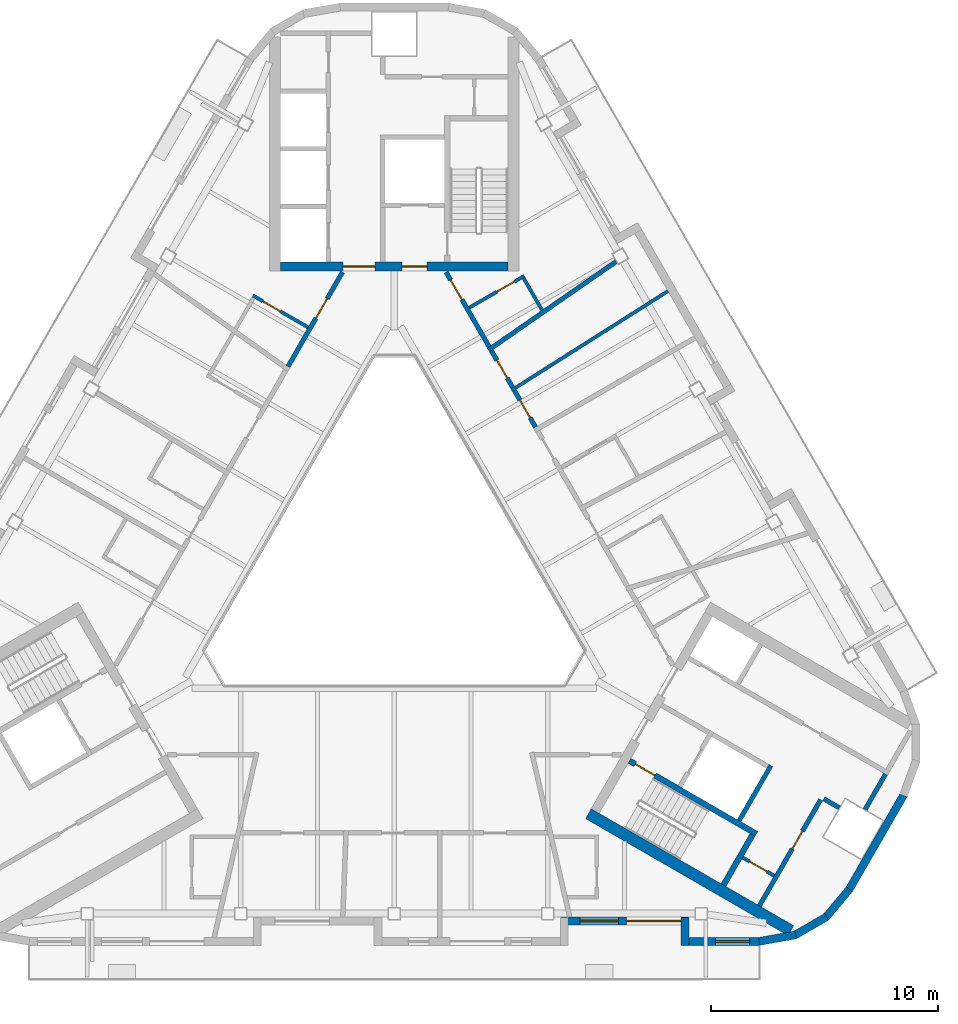
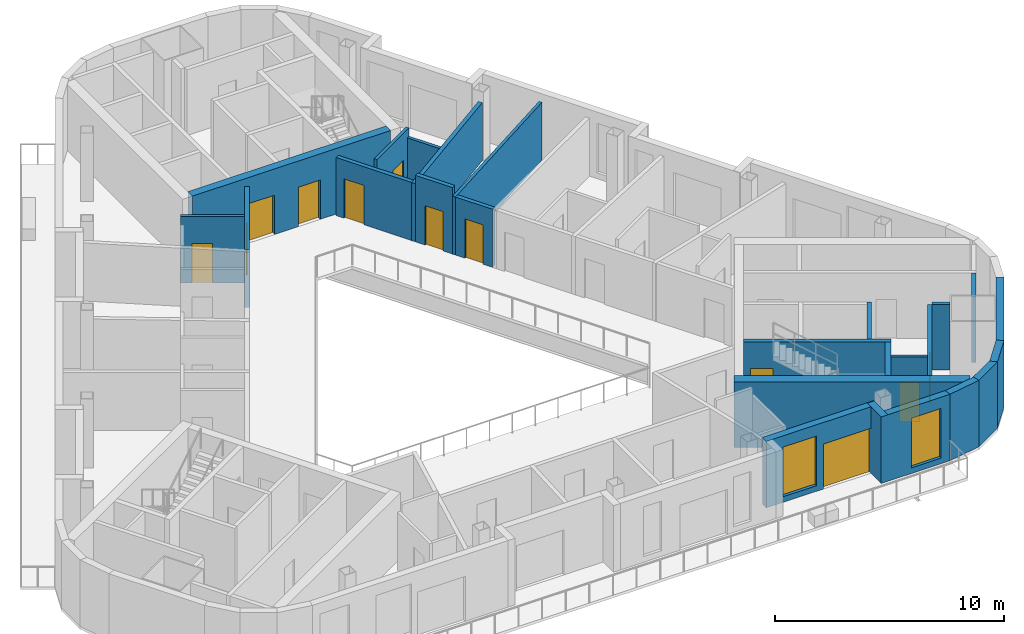
# One storey, part 5 of 12: 25 walls, 12 doors, 2 windows, 14 openings.
"""IFC4 building model written with IfcOpenShell, lengths in metres."""

from ifc_helpers import new_model, si_unit, direction, frame, frame_2d, origin, place, context, subcontext, project, spatial, rectangle, extrude, material, layer, layer_set, type_object, element, fill, save


model = new_model("IFC4")

# Units and contexts
model_context = context("Model", 3, precision=1e-05, world=origin(), true_north=direction((0.0, 1.0)))
body_context = subcontext(model_context, "Body", "Model", "MODEL_VIEW")
ifc_project = project(units=[si_unit("LENGTHUNIT", "METRE"), si_unit("AREAUNIT", "SQUARE_METRE"), si_unit("VOLUMEUNIT", "CUBIC_METRE"), si_unit("PLANEANGLEUNIT", "RADIAN"), si_unit("MASSUNIT", "GRAM", prefix="KILO")], contexts=[model_context])

# Site, building, storey
site_placement = place(None, origin())
site = spatial("IfcSite", under=ifc_project, at=site_placement, CompositionType="ELEMENT")
building_placement = place(site_placement, origin())
building = spatial("IfcBuilding", under=site, at=building_placement, Name="Apuvela Tower Hotel", CompositionType="ELEMENT")
storey_placement = place(building_placement, frame((0.0, 0.0, 305.89990234375)))
storey = spatial("IfcBuildingStorey", under=building, at=storey_placement, Name="L76", CompositionType="ELEMENT", Elevation=305.89990234375)

# Wall, openings, doors
ifc_material_1 = material(Name="Concrete C50/60", Category="concrete")
ifc_layer_1 = layer(ifc_material_1, 0.39990234375)
ifc_layer_set_1 = layer_set([ifc_layer_1], Name="COR-WALL-CORE-400")
wall_type_1 = type_object("IfcWallType", Name="COR-WALL-CORE-400", PredefinedType="SHEAR", material=ifc_layer_set_1)
wall_1_placement = place(storey_placement, frame((5.0, 13.10009765625, 0.0), z_axis=(0.0, 0.0, 1.0), x_axis=(-1.0, 0.0, 0.0)))
wall_1 = element("IfcWall", 1, at=wall_1_placement, inside=storey, type_object=wall_type_1, Name="Core wall N", PredefinedType="SHEAR", context=body_context, shape_type="SweptSolid", body=[
    extrude(rectangle(XDim=10.0, YDim=0.39990234375, at=frame_2d((5.0, 0.0))), origin(), (0.0, 0.0, 1.0), 3.5),
])
opening_1_placement = place(wall_1_placement, frame((3.550048828125, 0.0, 0.0)))
opening_1 = element("IfcOpeningElement", 2, at=opening_1_placement, cuts=wall_1, Name="Opening N-FD", PredefinedType="OPENING", context=body_context, shape_type="SweptSolid", body=[
    extrude(rectangle(XDim=1.10009765625, YDim=2.10009765625, at=frame_2d((0.550048828125, 1.050048828125))), frame((0.0, 0.2099609375, 0.0), z_axis=(0.0, -1.0, 0.0), x_axis=(1.0, 0.0, 0.0)), (0.0, 0.0, 1.0), 0.419921875),
])
opening_2_placement = place(wall_1_placement, frame((5.85009765625, 0.0, 0.0)))
opening_2 = element("IfcOpeningElement", 3, at=opening_2_placement, cuts=wall_1, Name="Opening N-GD", PredefinedType="OPENING", context=body_context, shape_type="SweptSolid", body=[
    extrude(rectangle(XDim=1.39990234375, YDim=2.10009765625, at=frame_2d((0.699951171875, 1.050048828125))), frame((0.0, 0.2099609375, 0.0), z_axis=(0.0, -1.0, 0.0), x_axis=(1.0, 0.0, 0.0)), (0.0, 0.0, 1.0), 0.419921875),
])
ifc_material_2 = material(Name="Steel fire door, powder coated", Category="steel")
door_type_1 = type_object("IfcDoorType", Name="COR-FD-1100", OperationType="NOTDEFINED", PredefinedType="DOOR", material=ifc_material_2)
door_1_placement = place(opening_1_placement, frame((1.10009765625, 0.0, 0.0), z_axis=(0.0, 0.0, 1.0), x_axis=(-1.0, 0.0, 0.0)))
door_1 = element("IfcDoor", 4, at=door_1_placement, inside=storey, type_object=door_type_1, Name="Firefighting lobby door N-FD", OperationType="SINGLE_SWING_LEFT", OverallHeight=2.10009765625, OverallWidth=1.10009765625, PredefinedType="DOOR", context=body_context, shape_type="SweptSolid", body=[
    extrude(rectangle(XDim=1.10009765625, YDim=2.10009765625, at=frame_2d((0.550048828125, 1.050048828125))), frame((0.0, 0.02490234375, 0.0), z_axis=(0.0, -1.0, 0.0), x_axis=(1.0, 0.0, 0.0)), (0.0, 0.0, 1.0), 0.050048828125),
])
fill(opening_1, door_1)
ifc_material_3 = material(Name="Glazed steel fire door", Category="steel")
door_type_2 = type_object("IfcDoorType", Name="COR-GD-1400", OperationType="DOUBLE_DOOR_SINGLE_SWING", PredefinedType="DOOR", material=ifc_material_3)
door_2_placement = place(opening_2_placement, frame((1.39990234375, 0.0, 0.0), z_axis=(0.0, 0.0, 1.0), x_axis=(-1.0, 0.0, 0.0)))
door_2 = element("IfcDoor", 5, at=door_2_placement, inside=storey, type_object=door_type_2, Name="Lift lobby door N-GD", OperationType="DOUBLE_DOOR_SINGLE_SWING", OverallHeight=2.10009765625, OverallWidth=1.39990234375, PredefinedType="DOOR", context=body_context, shape_type="SweptSolid", body=[
    extrude(rectangle(XDim=1.39990234375, YDim=2.10009765625, at=frame_2d((0.699951171875, 1.050048828125))), frame((0.0, 0.02490234375, 0.0), z_axis=(0.0, -1.0, 0.0), x_axis=(1.0, 0.0, 0.0)), (0.0, 0.0, 1.0), 0.050048828125),
])
fill(opening_2, door_2)

# Wall
ifc_layer_2 = layer(ifc_material_1, 0.5)
ifc_layer_set_2 = layer_set([ifc_layer_2], Name="COR-WALL-CORE-500")
wall_type_2 = type_object("IfcWallType", Name="COR-WALL-CORE-500", PredefinedType="SHEAR", material=ifc_layer_set_2)
wall_2_placement = place(storey_placement, frame((8.546630859375, -10.99658203125, 0.0), z_axis=(0.0, 0.0, 1.0), x_axis=(0.866027279078, -0.499996751883, 0.0)))
element("IfcWall", 6, at=wall_2_placement, inside=storey, type_object=wall_type_2, Name="Core wall SE", PredefinedType="SHEAR", context=body_context, shape_type="SweptSolid", body=[
    extrude(rectangle(XDim=10.29833984375, YDim=0.5, at=frame_2d((5.149169921875, 0.0))), origin(), (0.0, 0.0, 1.0), 3.5),
])

# Wall, opening, door
ifc_material_4 = material(Name="Blockwork 150 mm plastered", Category="masonry")
ifc_layer_3 = layer(ifc_material_4, 0.14990234375)
ifc_layer_set_3 = layer_set([ifc_layer_3], Name="COR-WALL-PART-150")
wall_type_3 = type_object("IfcWallType", Name="COR-WALL-PART-150", PredefinedType="PARTITIONING", material=ifc_layer_set_3)
wall_3_placement = place(storey_placement, frame((15.341552734375, -12.927734375, 0.0), z_axis=(0.0, 0.0, 1.0), x_axis=(0.865989903783, -0.500061482766, 0.0)))
wall_3 = element("IfcWall", 7, at=wall_3_placement, inside=storey, type_object=wall_type_3, Name="Partition SE", PredefinedType="PARTITIONING", context=body_context, shape_type="SweptSolid", body=[
    extrude(rectangle(XDim=1.599853515625, YDim=0.14990234375, at=frame_2d((0.7998046875, 0.0))), origin(), (0.0, 0.0, 1.0), 3.5),
])
opening_3_placement = place(wall_3_placement, frame((0.35009765625, 0.0, 0.0)))
opening_3 = element("IfcOpeningElement", 8, at=opening_3_placement, cuts=wall_3, Name="Opening E-RD", PredefinedType="OPENING", context=body_context, shape_type="SweptSolid", body=[
    extrude(rectangle(XDim=0.89990234375, YDim=2.10009765625, at=frame_2d((0.449951171875, 1.050048828125))), frame((0.0, 0.0849609375, 0.0), z_axis=(0.0, -1.0, 0.0), x_axis=(1.0, 0.0, 0.0)), (0.0, 0.0, 1.0), 0.169921875),
])
ifc_material_5 = material(Name="Steel access door, powder coated", Category="steel")
door_type_3 = type_object("IfcDoorType", Name="COR-RD-900", OperationType="NOTDEFINED", PredefinedType="DOOR", material=ifc_material_5)
door_3_placement = place(opening_3_placement, frame((0.89990234375, 0.0, 0.0), z_axis=(0.0, 0.0, 1.0), x_axis=(-1.0, 0.0, 0.0)))
door_3 = element("IfcDoor", 9, at=door_3_placement, inside=storey, type_object=door_type_3, Name="Riser door E-RD", OperationType="SINGLE_SWING_LEFT", OverallHeight=2.10009765625, OverallWidth=0.89990234375, PredefinedType="DOOR", context=body_context, shape_type="SweptSolid", body=[
    extrude(rectangle(XDim=0.89990234375, YDim=2.10009765625, at=frame_2d((0.449951171875, 1.050048828125))), frame((0.0, 0.02490234375, 0.0), z_axis=(0.0, -1.0, 0.0), x_axis=(1.0, 0.0, 0.0)), (0.0, 0.0, 1.0), 0.050048828125),
])
fill(opening_3, door_3)

ifc_material_6 = material(Name="Blockwork 200 mm plastered", Category="masonry")
ifc_layer_4 = layer(ifc_material_6, 0.199951171875)
ifc_layer_set_4 = layer_set([ifc_layer_4], Name="COR-WALL-PART-200")
wall_type_4 = type_object("IfcWallType", Name="COR-WALL-PART-200", PredefinedType="PARTITIONING", material=ifc_layer_set_4)
wall_4_placement = place(storey_placement, frame((16.076171875, -15.05517578125, 0.0), z_axis=(0.0, 0.0, 1.0), x_axis=(0.499995103361, 0.866028230842, 0.0)))
wall_4 = element("IfcWall", 10, at=wall_4_placement, inside=storey, type_object=wall_type_4, Name="Partition SE", PredefinedType="PARTITIONING", context=body_context, shape_type="SweptSolid", body=[
    extrude(rectangle(XDim=5.39990234375, YDim=0.199951171875, at=frame_2d((2.699951171875, 0.0))), origin(), (0.0, 0.0, 1.0), 3.5),
])
opening_4_placement = place(wall_4_placement, frame((2.89990234375, 0.0, 0.0)))
opening_4 = element("IfcOpeningElement", 11, at=opening_4_placement, cuts=wall_4, Name="Opening E-RS1", PredefinedType="OPENING", context=body_context, shape_type="SweptSolid", body=[
    extrude(rectangle(XDim=0.89990234375, YDim=2.10009765625, at=frame_2d((0.449951171875, 1.050048828125))), frame((0.0, 0.10986328125, 0.0), z_axis=(0.0, -1.0, 0.0), x_axis=(1.0, 0.0, 0.0)), (0.0, 0.0, 1.0), 0.219970703125),
])
door_type_4 = type_object("IfcDoorType", Name="COR-DR-900", OperationType="NOTDEFINED", PredefinedType="DOOR", material=ifc_material_2)
door_4_placement = place(opening_4_placement, frame((0.89990234375, 0.0, 0.0), z_axis=(0.0, 0.0, 1.0), x_axis=(-1.0, 0.0, 0.0)))
door_4 = element("IfcDoor", 12, at=door_4_placement, inside=storey, type_object=door_type_4, Name="Store door E-RS1", OperationType="SINGLE_SWING_LEFT", OverallHeight=2.10009765625, OverallWidth=0.89990234375, PredefinedType="DOOR", context=body_context, shape_type="SweptSolid", body=[
    extrude(rectangle(XDim=0.89990234375, YDim=2.10009765625, at=frame_2d((0.449951171875, 1.050048828125))), frame((0.0, 0.02490234375, 0.0), z_axis=(0.0, -1.0, 0.0), x_axis=(1.0, 0.0, 0.0)), (0.0, 0.0, 1.0), 0.050048828125),
])
fill(opening_4, door_4)

# Walls
ifc_layer_5 = layer(ifc_material_1, 0.199951171875)
ifc_layer_set_5 = layer_set([ifc_layer_5], Name="COR-WALL-SHAFT-200")
wall_type_5 = type_object("IfcWallType", Name="COR-WALL-SHAFT-200", PredefinedType="SHEAR", material=ifc_layer_set_5)
wall_5_placement = place(storey_placement, frame((15.181396484375, -11.305419921875, 0.0), z_axis=(0.0, 0.0, 1.0), x_axis=(0.49994636267, 0.866056369097, 0.0)))
element("IfcWall", 13, at=wall_5_placement, inside=storey, type_object=wall_type_5, Name="Shaft wall SE", PredefinedType="SHEAR", context=body_context, shape_type="SweptSolid", body=[
    extrude(rectangle(XDim=2.800048828125, YDim=0.199951171875, at=frame_2d((1.39990234375, 0.0))), origin(), (0.0, 0.0, 1.0), 3.5),
])
wall_6_placement = place(storey_placement, frame((20.73046875, -10.81396484375, 0.0), z_axis=(0.0, 0.0, 1.0), x_axis=(0.499961193289, 0.866047807691, 0.0)))
element("IfcWall", 14, at=wall_6_placement, inside=storey, type_object=wall_type_5, Name="Shaft wall SE", PredefinedType="SHEAR", context=body_context, shape_type="SweptSolid", body=[
    extrude(rectangle(XDim=1.800048828125, YDim=0.199951171875, at=frame_2d((0.89990234375, 0.0))), origin(), (0.0, 0.0, 1.0), 3.5),
])
wall_7_placement = place(storey_placement, frame((18.912841796875, -10.342041015625, 0.0), z_axis=(0.0, 0.0, 1.0), x_axis=(0.86597493103, -0.500087411186, 0.0)))
element("IfcWall", 15, at=wall_7_placement, inside=storey, type_object=wall_type_5, Name="Shaft wall SE", PredefinedType="SHEAR", context=body_context, shape_type="SweptSolid", body=[
    extrude(rectangle(XDim=0.791259765625, YDim=0.199951171875, at=frame_2d((0.3955078125, 0.0))), origin(), (0.0, 0.0, 1.0), 3.5),
])

# Wall, opening, door
ifc_layer_6 = layer(ifc_material_1, 0.25)
ifc_layer_set_6 = layer_set([ifc_layer_6], Name="COR-WALL-STAIR-250")
wall_type_6 = type_object("IfcWallType", Name="COR-WALL-STAIR-250", PredefinedType="SHEAR", material=ifc_layer_set_6)
wall_8_placement = place(storey_placement, frame((10.355712890625, -8.66357421875, 0.0), z_axis=(0.0, 0.0, 1.0), x_axis=(0.866028629588, -0.499994412703, 0.0)))
wall_8 = element("IfcWall", 16, at=wall_8_placement, inside=storey, type_object=wall_type_6, Name="Stair wall SE", PredefinedType="SHEAR", context=body_context, shape_type="SweptSolid", body=[
    extrude(rectangle(XDim=6.44970703125, YDim=0.25, at=frame_2d((3.224853515625, 0.0))), origin(), (0.0, 0.0, 1.0), 3.5),
])
opening_5_placement = place(wall_8_placement, frame((0.300048828125, 0.0, 0.0)))
opening_5 = element("IfcOpeningElement", 17, at=opening_5_placement, cuts=wall_8, Name="Opening E-SD", PredefinedType="OPENING", context=body_context, shape_type="SweptSolid", body=[
    extrude(rectangle(XDim=1.0, YDim=2.10009765625, at=frame_2d((0.5, 1.050048828125))), frame((0.0, 0.135009765625, 0.0), z_axis=(0.0, -1.0, 0.0), x_axis=(1.0, 0.0, 0.0)), (0.0, 0.0, 1.0), 0.27001953125),
])
door_type_5 = type_object("IfcDoorType", Name="COR-SD-1000", OperationType="NOTDEFINED", PredefinedType="DOOR", material=ifc_material_2)
door_5_placement = place(opening_5_placement, frame((1.0, 0.0, 0.0), z_axis=(0.0, 0.0, 1.0), x_axis=(-1.0, 0.0, 0.0)))
door_5 = element("IfcDoor", 18, at=door_5_placement, inside=storey, type_object=door_type_5, Name="Stair door E-SD", OperationType="SINGLE_SWING_LEFT", OverallHeight=2.10009765625, OverallWidth=1.0, PredefinedType="DOOR", context=body_context, shape_type="SweptSolid", body=[
    extrude(rectangle(XDim=1.0, YDim=2.10009765625, at=frame_2d((0.5, 1.050048828125))), frame((0.0, 0.02490234375, 0.0), z_axis=(0.0, -1.0, 0.0), x_axis=(1.0, 0.0, 0.0)), (0.0, 0.0, 1.0), 0.050048828125),
])
fill(opening_5, door_5)

# Wall
wall_9_placement = place(storey_placement, frame((14.49560546875, -14.142578125, 0.0), z_axis=(0.0, 0.0, 1.0), x_axis=(0.500062241894, 0.865989465428, 0.0)))
element("IfcWall", 19, at=wall_9_placement, inside=storey, type_object=wall_type_6, Name="Stair wall SE", PredefinedType="SHEAR", context=body_context, shape_type="SweptSolid", body=[
    extrude(rectangle(XDim=2.550048828125, YDim=0.25, at=frame_2d((1.27490234375, 0.0))), origin(), (0.0, 0.0, 1.0), 3.5),
])

# Wall, openings, door, window
ifc_material_7 = material(Name="Concrete C40/50, dark pigmented precast panel", Category="concrete")
ifc_layer_7 = layer(ifc_material_7, 0.35009765625)
ifc_layer_set_7 = layer_set([ifc_layer_7], Name="ENV-WALL-350")
wall_type_7 = type_object("IfcWallType", Name="ENV-WALL-350", PredefinedType="SOLIDWALL", material=ifc_layer_set_7)
wall_10_placement = place(storey_placement, frame((7.3388671875, -15.719482421875, 0.0), z_axis=(0.0, 0.0, 1.0), x_axis=(1.0, 0.0, 0.0)))
wall_10 = element("IfcWall", 20, at=wall_10_placement, inside=storey, type_object=wall_type_7, Name="External wall L76-23", PredefinedType="SOLIDWALL", context=body_context, shape_type="SweptSolid", body=[
    extrude(rectangle(XDim=5.598876953125, YDim=0.35009765625, at=frame_2d((2.79931640625, 0.0))), origin(), (0.0, 0.0, 1.0), 3.550048828125),
])
opening_6_placement = place(wall_10_placement, frame((2.87890625, 0.0, 0.0)))
opening_6 = element("IfcOpeningElement", 21, at=opening_6_placement, cuts=wall_10, Name="Opening BD24", PredefinedType="OPENING", context=body_context, shape_type="SweptSolid", body=[
    extrude(rectangle(XDim=2.39990234375, YDim=2.39990234375, at=frame_2d((1.199951171875, 1.199951171875))), frame((0.0, 0.18505859375, 0.0), z_axis=(0.0, -1.0, 0.0), x_axis=(1.0, 0.0, 0.0)), (0.0, 0.0, 1.0), 0.3701171875),
])
opening_7_placement = place(wall_10_placement, frame((0.831298828125, 0.0, 0.300048828125)))
opening_7 = element("IfcOpeningElement", 22, at=opening_7_placement, cuts=wall_10, Name="Opening WN17", PredefinedType="OPENING", context=body_context, shape_type="SweptSolid", body=[
    extrude(rectangle(XDim=1.699951171875, YDim=2.64990234375, at=frame_2d((0.85009765625, 1.324951171875))), frame((0.0, 0.18505859375, 0.0), z_axis=(0.0, -1.0, 0.0), x_axis=(1.0, 0.0, 0.0)), (0.0, 0.0, 1.0), 0.3701171875),
])
ifc_material_8 = material(Name="Aluminium 6063-T6, dark bronze anodised frame with dark tinted laminated glass", Category="aluminium")
door_type_6 = type_object("IfcDoorType", Name="ENV-DOOR-BALCONY-2400x2400", OperationType="SLIDING_TO_LEFT", PredefinedType="DOOR", material=ifc_material_8)
door_6_placement = place(opening_6_placement, frame((2.39990234375, 0.0, 0.0), z_axis=(0.0, 0.0, 1.0), x_axis=(-1.0, 0.0, 0.0)))
door_6 = element("IfcDoor", 23, at=door_6_placement, inside=storey, type_object=door_type_6, Name="Balcony door BD24", OperationType="SLIDING_TO_LEFT", OverallHeight=2.39990234375, OverallWidth=2.39990234375, PredefinedType="DOOR", context=body_context, shape_type="SweptSolid", body=[
    extrude(rectangle(XDim=2.39990234375, YDim=2.39990234375, at=frame_2d((1.199951171875, 1.199951171875))), frame((0.0, 0.02490234375, 0.0), z_axis=(0.0, -1.0, 0.0), x_axis=(1.0, 0.0, 0.0)), (0.0, 0.0, 1.0), 0.050048828125),
])
fill(opening_6, door_6)
ifc_material_9 = material(Name="Glass, dark tinted laminated insulated glazing unit", Category="glass")
window_type_1 = type_object("IfcWindowType", Name="ENV-WIN-1700x2650", PartitioningType="SINGLE_PANEL", PredefinedType="WINDOW", material=ifc_material_9)
window_1_placement = place(opening_7_placement, origin())
window_1 = element("IfcWindow", 24, at=window_1_placement, inside=storey, type_object=window_type_1, Name="Window WN17", OverallHeight=2.64990234375, OverallWidth=1.699951171875, PartitioningType="SINGLE_PANEL", PredefinedType="WINDOW", context=body_context, shape_type="SweptSolid", body=[
    extrude(rectangle(XDim=1.699951171875, YDim=2.64990234375, at=frame_2d((0.85009765625, 1.324951171875))), frame((0.0, 0.030029296875, 0.0), z_axis=(0.0, -1.0, 0.0), x_axis=(1.0, 0.0, 0.0)), (0.0, 0.0, 1.0), 0.06005859375),
])
fill(opening_7, window_1)

# Wall
wall_11_placement = place(storey_placement, frame((12.792724609375, -15.57470703125, 0.0), z_axis=(0.0, 0.0, 1.0), x_axis=(0.0, -1.0, 0.0)))
element("IfcWall", 25, at=wall_11_placement, inside=storey, type_object=wall_type_7, Name="External wall L76-24", PredefinedType="SOLIDWALL", context=body_context, shape_type="SweptSolid", body=[
    extrude(rectangle(XDim=1.219970703125, YDim=0.35009765625, at=frame_2d((0.60986328125, 0.0))), origin(), (0.0, 0.0, 1.0), 3.550048828125),
])

# Wall, opening, window
wall_12_placement = place(storey_placement, frame((12.617919921875, -16.61962890625, 0.0), z_axis=(0.0, 0.0, 1.0), x_axis=(1.0, 0.0, 0.0)))
wall_12 = element("IfcWall", 26, at=wall_12_placement, inside=storey, type_object=wall_type_7, Name="External wall L76-25", PredefinedType="SOLIDWALL", context=body_context, shape_type="SweptSolid", body=[
    extrude(rectangle(XDim=3.47998046875, YDim=0.35009765625, at=frame_2d((1.739990234375, 0.0))), origin(), (0.0, 0.0, 1.0), 3.550048828125),
])
opening_8_placement = place(wall_12_placement, frame((1.525146484375, 0.0, 0.300048828125)))
opening_8 = element("IfcOpeningElement", 27, at=opening_8_placement, cuts=wall_12, Name="Opening WN15", PredefinedType="OPENING", context=body_context, shape_type="SweptSolid", body=[
    extrude(rectangle(XDim=1.5, YDim=2.64990234375, at=frame_2d((0.75, 1.324951171875))), frame((0.0, 0.18505859375, 0.0), z_axis=(0.0, -1.0, 0.0), x_axis=(1.0, 0.0, 0.0)), (0.0, 0.0, 1.0), 0.3701171875),
])
window_type_2 = type_object("IfcWindowType", Name="ENV-WIN-1500x2650", PartitioningType="SINGLE_PANEL", PredefinedType="WINDOW", material=ifc_material_9)
window_2_placement = place(opening_8_placement, origin())
window_2 = element("IfcWindow", 28, at=window_2_placement, inside=storey, type_object=window_type_2, Name="Window WN15", OverallHeight=2.64990234375, OverallWidth=1.5, PartitioningType="SINGLE_PANEL", PredefinedType="WINDOW", context=body_context, shape_type="SweptSolid", body=[
    extrude(rectangle(XDim=1.5, YDim=2.64990234375, at=frame_2d((0.75, 1.324951171875))), frame((0.0, 0.030029296875, 0.0), z_axis=(0.0, -1.0, 0.0), x_axis=(1.0, 0.0, 0.0)), (0.0, 0.0, 1.0), 0.06005859375),
])
fill(opening_8, window_2)

# Walls
wall_13_placement = place(storey_placement, frame((16.067626953125, -16.622314453125, 0.0), z_axis=(0.0, 0.0, 1.0), x_axis=(0.98479107762, 0.173742721977, 0.0)))
element("IfcWall", 29, at=wall_13_placement, inside=storey, type_object=wall_type_7, Name="External wall L76-26", PredefinedType="SOLIDWALL", context=body_context, shape_type="SweptSolid", body=[
    extrude(rectangle(XDim=1.63427734375, YDim=0.35009765625, at=frame_2d((0.817138671875, 0.0))), origin(), (0.0, 0.0, 1.0), 3.550048828125),
])
wall_14_placement = place(storey_placement, frame((17.619873046875, -16.359130859375, 0.0), z_axis=(0.0, 0.0, 1.0), x_axis=(0.866083589932, 0.499899205091, 0.0)))
element("IfcWall", 30, at=wall_14_placement, inside=storey, type_object=wall_type_7, Name="External wall L76-27", PredefinedType="SOLIDWALL", context=body_context, shape_type="SweptSolid", body=[
    extrude(rectangle(XDim=1.634033203125, YDim=0.35009765625, at=frame_2d((0.81689453125, 0.0))), origin(), (0.0, 0.0, 1.0), 3.550048828125),
])
wall_15_placement = place(storey_placement, frame((18.98876953125, -15.581298828125, 0.0), z_axis=(0.0, 0.0, 1.0), x_axis=(0.642708448155, 0.766110860562, 0.0)))
element("IfcWall", 31, at=wall_15_placement, inside=storey, type_object=wall_type_7, Name="External wall L76-28", PredefinedType="SOLIDWALL", context=body_context, shape_type="SweptSolid", body=[
    extrude(rectangle(XDim=1.63427734375, YDim=0.35009765625, at=frame_2d((0.817138671875, 0.0))), origin(), (0.0, 0.0, 1.0), 3.550048828125),
])
wall_16_placement = place(storey_placement, frame((20.021484375, -14.354248046875, 0.0), z_axis=(0.0, 0.0, 1.0), x_axis=(0.500012048649, 0.866018447382, 0.0)))
element("IfcWall", 32, at=wall_16_placement, inside=storey, type_object=wall_type_7, Name="External wall L76-29", PredefinedType="SOLIDWALL", context=body_context, shape_type="SweptSolid", body=[
    extrude(rectangle(XDim=4.8408203125, YDim=0.35009765625, at=frame_2d((2.42041015625, 0.0))), origin(), (0.0, 0.0, 1.0), 3.550048828125),
])
ifc_material_10 = material(Name="Gypsum board partition on twin steel stud", Category="steel")
ifc_layer_8 = layer(ifc_material_10, 0.199951171875)
ifc_layer_set_8 = layer_set([ifc_layer_8], Name="GST-PW1")
wall_type_8 = type_object("IfcWallType", Name="GST-PW1", PredefinedType="PARTITIONING", material=ifc_layer_set_8)
wall_17_placement = place(storey_placement, frame((9.769287109375, 13.318115234375, 0.0), z_axis=(0.0, 0.0, 1.0), x_axis=(-0.821728251777, -0.569879531332, 0.0)))
element("IfcWall", 33, at=wall_17_placement, inside=storey, type_object=wall_type_8, Name="L76 partition 08", PredefinedType="PARTITIONING", context=body_context, shape_type="SweptSolid", body=[
    extrude(rectangle(XDim=6.843017578125, YDim=0.199951171875, at=frame_2d((3.42138671875, 0.0))), origin(), (0.0, 0.0, 1.0), 3.10009765625),
])

# Wall, opening, door
ifc_material_11 = material(Name="Gypsum board corridor wall on twin steel stud, acoustic", Category="steel")
ifc_layer_9 = layer(ifc_material_11, 0.199951171875)
ifc_layer_set_9 = layer_set([ifc_layer_9], Name="GST-PW2")
wall_type_9 = type_object("IfcWallType", Name="GST-PW2", PredefinedType="PARTITIONING", material=ifc_layer_set_9)
wall_18_placement = place(storey_placement, frame((5.289306640625, 7.638916015625, 0.0), z_axis=(0.0, 0.0, 1.0), x_axis=(0.499970989427, -0.866042152399, 0.0)))
wall_18 = element("IfcWall", 34, at=wall_18_placement, inside=storey, type_object=wall_type_9, Name="L76 partition 33", PredefinedType="PARTITIONING", context=body_context, shape_type="SweptSolid", body=[
    extrude(rectangle(XDim=1.87060546875, YDim=0.199951171875, at=frame_2d((0.935302734375, 0.0))), origin(), (0.0, 0.0, 1.0), 3.10009765625),
])
opening_9_placement = place(wall_18_placement, frame((0.485595703125, 0.0, 0.0)))
opening_9 = element("IfcOpeningElement", 35, at=opening_9_placement, cuts=wall_18, Name="Opening GD31-14", PredefinedType="OPENING", context=body_context, shape_type="SweptSolid", body=[
    extrude(rectangle(XDim=0.89990234375, YDim=2.10009765625, at=frame_2d((0.449951171875, 1.050048828125))), frame((0.0, 0.10986328125, 0.0), z_axis=(0.0, -1.0, 0.0), x_axis=(1.0, 0.0, 0.0)), (0.0, 0.0, 1.0), 0.219970703125),
])
ifc_material_12 = material(Name="Timber door leaf in steel frame", Category="steel")
door_type_7 = type_object("IfcDoorType", Name="GST-D2", OperationType="NOTDEFINED", PredefinedType="DOOR", material=ifc_material_12)
door_7_placement = place(opening_9_placement, origin())
door_7 = element("IfcDoor", 36, at=door_7_placement, inside=storey, type_object=door_type_7, Name="Door L76-14", OperationType="SINGLE_SWING_LEFT", OverallHeight=2.10009765625, OverallWidth=0.89990234375, PredefinedType="DOOR", context=body_context, shape_type="SweptSolid", body=[
    extrude(rectangle(XDim=0.89990234375, YDim=2.10009765625, at=frame_2d((0.449951171875, 1.050048828125))), frame((0.0, 0.02490234375, 0.0), z_axis=(0.0, -1.0, 0.0), x_axis=(1.0, 0.0, 0.0)), (0.0, 0.0, 1.0), 0.050048828125),
])
fill(opening_9, door_7)

wall_19_placement = place(storey_placement, frame((4.27880859375, 9.388671875, 0.0), z_axis=(0.0, 0.0, 1.0), x_axis=(0.500027503603, -0.86600952399, 0.0)))
wall_19 = element("IfcWall", 37, at=wall_19_placement, inside=storey, type_object=wall_type_9, Name="L76 partition 34", PredefinedType="PARTITIONING", context=body_context, shape_type="SweptSolid", body=[
    extrude(rectangle(XDim=1.87060546875, YDim=0.199951171875, at=frame_2d((0.935302734375, 0.0))), origin(), (0.0, 0.0, 1.0), 3.550048828125),
])
opening_10_placement = place(wall_19_placement, frame((0.4853515625, 0.0, 0.0)))
opening_10 = element("IfcOpeningElement", 38, at=opening_10_placement, cuts=wall_19, Name="Opening GD31-15", PredefinedType="OPENING", context=body_context, shape_type="SweptSolid", body=[
    extrude(rectangle(XDim=0.89990234375, YDim=2.10009765625, at=frame_2d((0.449951171875, 1.050048828125))), frame((0.0, 0.10986328125, 0.0), z_axis=(0.0, -1.0, 0.0), x_axis=(1.0, 0.0, 0.0)), (0.0, 0.0, 1.0), 0.219970703125),
])
door_8_placement = place(opening_10_placement, origin())
door_8 = element("IfcDoor", 39, at=door_8_placement, inside=storey, type_object=door_type_7, Name="Door L76-15", OperationType="SINGLE_SWING_RIGHT", OverallHeight=2.10009765625, OverallWidth=0.89990234375, PredefinedType="DOOR", context=body_context, shape_type="SweptSolid", body=[
    extrude(rectangle(XDim=0.89990234375, YDim=2.10009765625, at=frame_2d((0.449951171875, 1.050048828125))), frame((0.0, 0.02490234375, 0.0), z_axis=(0.0, -1.0, 0.0), x_axis=(1.0, 0.0, 0.0)), (0.0, 0.0, 1.0), 0.050048828125),
])
fill(opening_10, door_8)

wall_20_placement = place(storey_placement, frame((2.280517578125, 12.85009765625, 0.0), z_axis=(0.0, 0.0, 1.0), x_axis=(0.500019354728, -0.866014229038, 0.0)))
wall_20 = element("IfcWall", 40, at=wall_20_placement, inside=storey, type_object=wall_type_9, Name="L76 partition 35", PredefinedType="PARTITIONING", context=body_context, shape_type="SweptSolid", body=[
    extrude(rectangle(XDim=3.796142578125, YDim=0.199951171875, at=frame_2d((1.89794921875, 0.0))), origin(), (0.0, 0.0, 1.0), 3.10009765625),
])
opening_11_placement = place(wall_20_placement, frame((0.39990234375, 0.0, 0.0)))
opening_11 = element("IfcOpeningElement", 41, at=opening_11_placement, cuts=wall_20, Name="Opening GD31-17", PredefinedType="OPENING", context=body_context, shape_type="SweptSolid", body=[
    extrude(rectangle(XDim=1.0, YDim=2.10009765625, at=frame_2d((0.5, 1.050048828125))), frame((0.0, 0.10986328125, 0.0), z_axis=(0.0, -1.0, 0.0), x_axis=(1.0, 0.0, 0.0)), (0.0, 0.0, 1.0), 0.219970703125),
])
door_type_8 = type_object("IfcDoorType", Name="GST-D1", OperationType="NOTDEFINED", PredefinedType="DOOR", material=ifc_material_12)
door_9_placement = place(opening_11_placement, origin())
door_9 = element("IfcDoor", 42, at=door_9_placement, inside=storey, type_object=door_type_8, Name="Door L76-17", OperationType="SINGLE_SWING_LEFT", OverallHeight=2.10009765625, OverallWidth=1.0, PredefinedType="DOOR", context=body_context, shape_type="SweptSolid", body=[
    extrude(rectangle(XDim=1.0, YDim=2.10009765625, at=frame_2d((0.5, 1.050048828125))), frame((0.0, 0.02490234375, 0.0), z_axis=(0.0, -1.0, 0.0), x_axis=(1.0, 0.0, 0.0)), (0.0, 0.0, 1.0), 0.050048828125),
])
fill(opening_11, door_9)

wall_21_placement = place(storey_placement, frame((-4.67919921875, 8.6953125, 0.0), z_axis=(0.0, 0.0, 1.0), x_axis=(0.499986760557, 0.866033047446, 0.0)))
wall_21 = element("IfcWall", 43, at=wall_21_placement, inside=storey, type_object=wall_type_9, Name="L76 partition 38", PredefinedType="PARTITIONING", context=body_context, shape_type="SweptSolid", body=[
    extrude(rectangle(XDim=4.797607421875, YDim=0.199951171875, at=frame_2d((2.39892578125, 0.0))), origin(), (0.0, 0.0, 1.0), 3.10009765625),
])
opening_12_placement = place(wall_21_placement, frame((2.459716796875, 0.0, 0.0)))
opening_12 = element("IfcOpeningElement", 44, at=opening_12_placement, cuts=wall_21, Name="Opening GD31-19", PredefinedType="OPENING", context=body_context, shape_type="SweptSolid", body=[
    extrude(rectangle(XDim=1.0, YDim=2.10009765625, at=frame_2d((0.5, 1.050048828125))), frame((0.0, 0.10986328125, 0.0), z_axis=(0.0, -1.0, 0.0), x_axis=(1.0, 0.0, 0.0)), (0.0, 0.0, 1.0), 0.219970703125),
])
door_10_placement = place(opening_12_placement, origin())
door_10 = element("IfcDoor", 45, at=door_10_placement, inside=storey, type_object=door_type_8, Name="Door L76-19", OperationType="SINGLE_SWING_RIGHT", OverallHeight=2.10009765625, OverallWidth=1.0, PredefinedType="DOOR", context=body_context, shape_type="SweptSolid", body=[
    extrude(rectangle(XDim=1.0, YDim=2.10009765625, at=frame_2d((0.5, 1.050048828125))), frame((0.0, 0.02490234375, 0.0), z_axis=(0.0, -1.0, 0.0), x_axis=(1.0, 0.0, 0.0)), (0.0, 0.0, 1.0), 0.050048828125),
])
fill(opening_12, door_10)

# Wall
ifc_material_13 = material(Name="Moisture-resistant gypsum board wet wall on steel stud", Category="steel")
ifc_layer_10 = layer(ifc_material_13, 0.14990234375)
ifc_layer_set_10 = layer_set([ifc_layer_10], Name="GST-PW3")
wall_type_10 = type_object("IfcWallType", Name="GST-PW3", PredefinedType="PARTITIONING", material=ifc_layer_set_10)
wall_22_placement = place(storey_placement, frame((12.0517578125, 12.014892578125, 0.0), z_axis=(0.0, 0.0, 1.0), x_axis=(-0.844566720388, -0.535450328987, 0.0)))
element("IfcWall", 46, at=wall_22_placement, inside=storey, type_object=wall_type_10, Name="L76 partition 32", PredefinedType="PARTITIONING", context=body_context, shape_type="SweptSolid", body=[
    extrude(rectangle(XDim=8.151611328125, YDim=0.14990234375, at=frame_2d((4.07568359375, 0.0))), origin(), (0.0, 0.0, 1.0), 3.10009765625),
])

# Wall, opening, door
wall_23_placement = place(storey_placement, frame((5.725341796875, 12.683349609375, 0.0), z_axis=(0.0, 0.0, 1.0), x_axis=(-0.866034573852, -0.49998411664, 0.0)))
wall_23 = element("IfcWall", 47, at=wall_23_placement, inside=storey, type_object=wall_type_10, Name="L76 partition 36", PredefinedType="PARTITIONING", context=body_context, shape_type="SweptSolid", body=[
    extrude(rectangle(XDim=2.7998046875, YDim=0.14990234375, at=frame_2d((1.39990234375, 0.0))), origin(), (0.0, 0.0, 1.0), 3.550048828125),
])
opening_13_placement = place(wall_23_placement, frame((0.5, 0.0, 0.0)))
opening_13 = element("IfcOpeningElement", 48, at=opening_13_placement, cuts=wall_23, Name="Opening GD31-16", PredefinedType="OPENING", context=body_context, shape_type="SweptSolid", body=[
    extrude(rectangle(XDim=0.89990234375, YDim=2.10009765625, at=frame_2d((0.449951171875, 1.050048828125))), frame((0.0, 0.0849609375, 0.0), z_axis=(0.0, -1.0, 0.0), x_axis=(1.0, 0.0, 0.0)), (0.0, 0.0, 1.0), 0.169921875),
])
door_11_placement = place(opening_13_placement, origin())
door_11 = element("IfcDoor", 49, at=door_11_placement, inside=storey, type_object=door_type_7, Name="Door L76-16", OperationType="SINGLE_SWING_LEFT", OverallHeight=2.10009765625, OverallWidth=0.89990234375, PredefinedType="DOOR", context=body_context, shape_type="SweptSolid", body=[
    extrude(rectangle(XDim=0.89990234375, YDim=2.10009765625, at=frame_2d((0.449951171875, 1.050048828125))), frame((0.0, 0.02490234375, 0.0), z_axis=(0.0, -1.0, 0.0), x_axis=(1.0, 0.0, 0.0)), (0.0, 0.0, 1.0), 0.050048828125),
])
fill(opening_13, door_11)

# Wall
wall_24_placement = place(storey_placement, frame((6.508056640625, 11.177978515625, 0.0), z_axis=(0.0, 0.0, 1.0), x_axis=(-0.500061642096, 0.865989811779, 0.0)))
element("IfcWall", 50, at=wall_24_placement, inside=storey, type_object=wall_type_10, Name="L76 partition 37", PredefinedType="PARTITIONING", context=body_context, shape_type="SweptSolid", body=[
    extrude(rectangle(XDim=1.619873046875, YDim=0.14990234375, at=frame_2d((0.81005859375, 0.0))), origin(), (0.0, 0.0, 1.0), 3.10009765625),
])

# Wall, opening, door
wall_25_placement = place(storey_placement, frame((-3.798583984375, 10.4208984375, 0.0), z_axis=(0.0, 0.0, 1.0), x_axis=(-0.866034573852, 0.49998411664, 0.0)))
wall_25 = element("IfcWall", 51, at=wall_25_placement, inside=storey, type_object=wall_type_10, Name="L76 partition 39", PredefinedType="PARTITIONING", context=body_context, shape_type="SweptSolid", body=[
    extrude(rectangle(XDim=2.7998046875, YDim=0.14990234375, at=frame_2d((1.39990234375, 0.0))), origin(), (0.0, 0.0, 1.0), 3.550048828125),
])
opening_14_placement = place(wall_25_placement, frame((1.39990234375, 0.0, 0.0)))
opening_14 = element("IfcOpeningElement", 52, at=opening_14_placement, cuts=wall_25, Name="Opening GD31-18", PredefinedType="OPENING", context=body_context, shape_type="SweptSolid", body=[
    extrude(rectangle(XDim=0.89990234375, YDim=2.10009765625, at=frame_2d((0.449951171875, 1.050048828125))), frame((0.0, 0.0849609375, 0.0), z_axis=(0.0, -1.0, 0.0), x_axis=(1.0, 0.0, 0.0)), (0.0, 0.0, 1.0), 0.169921875),
])
door_12_placement = place(opening_14_placement, origin())
door_12 = element("IfcDoor", 53, at=door_12_placement, inside=storey, type_object=door_type_7, Name="Door L76-18", OperationType="SINGLE_SWING_RIGHT", OverallHeight=2.10009765625, OverallWidth=0.89990234375, PredefinedType="DOOR", context=body_context, shape_type="SweptSolid", body=[
    extrude(rectangle(XDim=0.89990234375, YDim=2.10009765625, at=frame_2d((0.449951171875, 1.050048828125))), frame((0.0, 0.02490234375, 0.0), z_axis=(0.0, -1.0, 0.0), x_axis=(1.0, 0.0, 0.0)), (0.0, 0.0, 1.0), 0.050048828125),
])
fill(opening_14, door_12)

save(model, "model.ifc")
